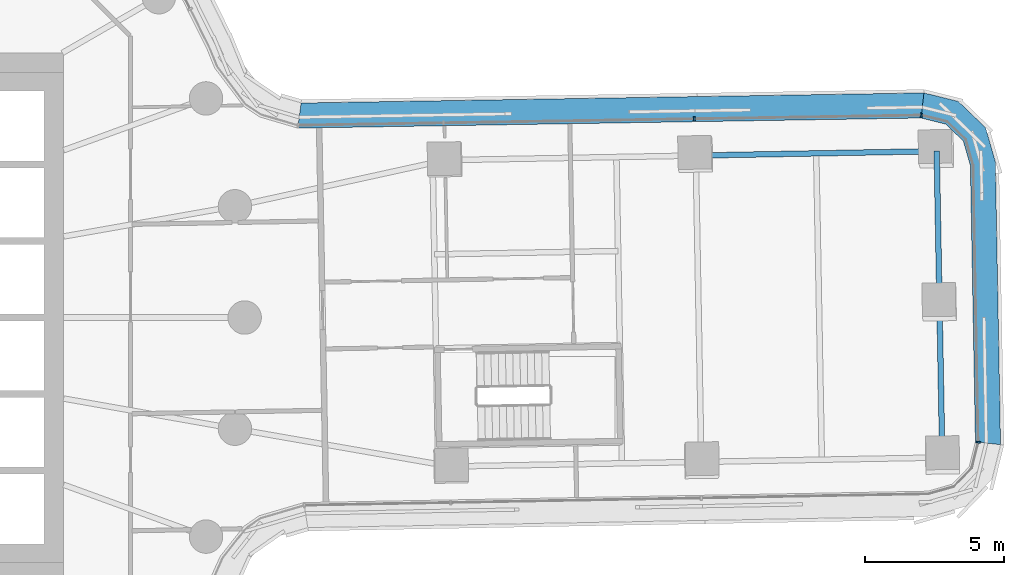
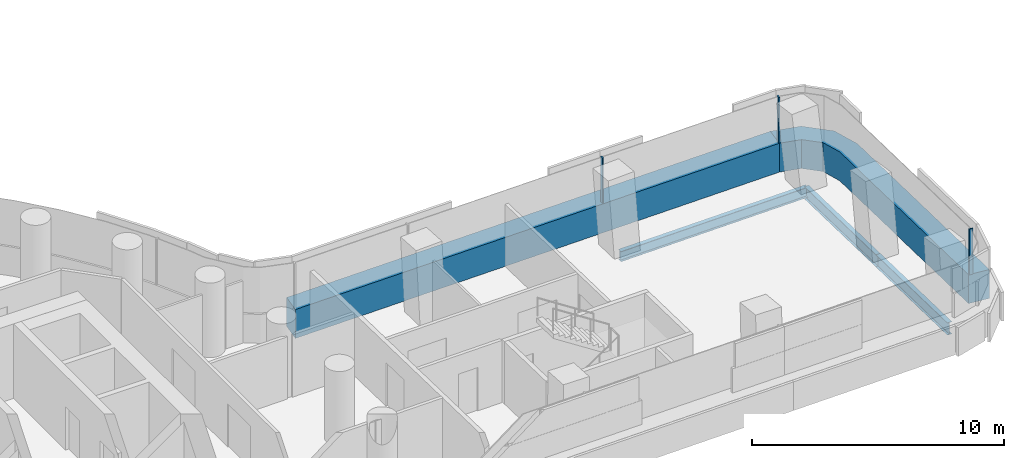
# One storey, part 12 of 31: 5 members, 3 beams, 2 elements without a shape of their own.
"""IFC4 building model written with IfcOpenShell, lengths in metres."""

from ifc_helpers import new_model, si_unit, direction, frame, origin, origin_2d, place, context, subcontext, project, spatial, polyline, rectangle, i_section, outline, extrude, material, layer, layer_set, material_profile, profile_set, type_object, element, aggregate, save


model = new_model("IFC4")

# Units and contexts
model_context = context("Model", 3, precision=1e-05, world=origin(), true_north=direction((0.0, 1.0)))
body_context = subcontext(model_context, "Body", "Model", "MODEL_VIEW")
ifc_project = project(units=[si_unit("LENGTHUNIT", "METRE"), si_unit("AREAUNIT", "SQUARE_METRE"), si_unit("VOLUMEUNIT", "CUBIC_METRE"), si_unit("PLANEANGLEUNIT", "RADIAN"), si_unit("MASSUNIT", "GRAM", prefix="KILO")], contexts=[model_context])

# Site, building, storey
site_placement = place(None, origin())
site = spatial("IfcSite", under=ifc_project, at=site_placement, CompositionType="ELEMENT")
building_placement = place(site_placement, origin())
building = spatial("IfcBuilding", under=site, at=building_placement, Name="Tamarind Cross Interchange Tower", CompositionType="ELEMENT")
storey_placement = place(building_placement, frame((0.0, 0.0, 37.75)))
storey = spatial("IfcBuildingStorey", under=building, at=storey_placement, Name="L07", CompositionType="ELEMENT", Elevation=37.75)

# Beams
ifc_material_1 = material(Name="Steel Q355B", Category="steel")
ifc_material_profile_1 = material_profile(ifc_material_1, i_section(OverallWidth=0.198974609375, OverallDepth=0.49609375, WebThickness=0.009033203125, FlangeThickness=0.013916015625, FilletRadius=0.012939453125, at=origin_2d()), Name="HN 496x199x9x14")
ifc_profile_set_1 = profile_set([ifc_material_profile_1], Name="Steel Q355B")
beam_type_1 = type_object("IfcBeamType", Name="Composite beam HN 496x199x9x14 Q355B", PredefinedType="BEAM", material=ifc_profile_set_1)
beam_1_placement = place(storey_placement, frame((47.84814453125, 5.972412109375, -0.387939453125), z_axis=(-0.99983335948, -0.01825522586, 0.0), x_axis=(0.01825522586, -0.99983335948, 0.0)))
element("IfcBeam", 1, at=beam_1_placement, inside=storey, type_object=beam_type_1, Name="Beam E-edgeep2", PredefinedType="BEAM", context=body_context, shape_type="SweptSolid", body=[
    extrude(i_section(OverallWidth=0.198974609375, OverallDepth=0.49609375, WebThickness=0.009033203125, FlangeThickness=0.013916015625, FilletRadius=0.012939453125, at=origin_2d()), origin(), (0.0, 0.0, 1.0), 8.65283203125),
])
ifc_material_profile_2 = material_profile(ifc_material_1, i_section(OverallWidth=0.199951171875, OverallDepth=0.60009765625, WebThickness=0.010986328125, FlangeThickness=0.01708984375, FilletRadius=0.012939453125, at=origin_2d()), Name="HN 600x200x11x17")
ifc_profile_set_2 = profile_set([ifc_material_profile_2], Name="Steel Q355B")
beam_type_2 = type_object("IfcBeamType", Name="Composite beam HN 600x200x11x17 Q355B", PredefinedType="BEAM", material=ifc_profile_set_2)
beam_2_placement = place(storey_placement, frame((48.048828125, -5.02587890625, -0.43994140625), z_axis=(-0.018244165944, 0.999833561354, 0.0), x_axis=(-0.999833561354, -0.018244165944, 0.0)))
element("IfcBeam", 2, at=beam_2_placement, inside=storey, type_object=beam_type_2, Name="Beam E-tip0", PredefinedType="BEAM", context=body_context, shape_type="SweptSolid", body=[
    extrude(i_section(OverallWidth=0.199951171875, OverallDepth=0.60009765625, WebThickness=0.010986328125, FlangeThickness=0.01708984375, FilletRadius=0.012939453125, at=origin_2d()), origin(), (0.0, 0.0, 1.0), 5.5),
])
beam_3_placement = place(storey_placement, frame((47.948486328125, 0.47314453125, -0.43994140625), z_axis=(-0.018243356261, 0.999833576128, 0.0), x_axis=(-0.999833576128, -0.018243356261, 0.0)))
element("IfcBeam", 3, at=beam_3_placement, inside=storey, type_object=beam_type_2, Name="Beam E-tip1", PredefinedType="BEAM", context=body_context, shape_type="SweptSolid", body=[
    extrude(i_section(OverallWidth=0.199951171875, OverallDepth=0.60009765625, WebThickness=0.010986328125, FlangeThickness=0.01708984375, FilletRadius=0.012939453125, at=origin_2d()), origin(), (0.0, 0.0, 1.0), 5.500244140625),
])

# Curtain wall, member
ifc_material_2 = material(Name="Aluminium 6063-T6", Category="aluminium")
ifc_layer = layer(ifc_material_2, 0.159912109375)
ifc_layer_set = layer_set([ifc_layer], Name="Aluminium 6063-T6")
curtain_wall_type = type_object("IfcCurtainWallType", Name="Office curtain wall, 9.0 m bays", PredefinedType="NOTDEFINED", material=ifc_layer_set)
curtain_wall_1_placement = place(storey_placement, origin())
curtain_wall_1 = element("IfcCurtainWall", 4, at=curtain_wall_1_placement, inside=storey, type_object=curtain_wall_type, Name="CWS-L07-12", PredefinedType="NOTDEFINED")
ifc_material_3 = material(Name="Aluminium and insulated spandrel panel", Category="aluminium")
member_type_1 = type_object("IfcMemberType", Name="Floor-edge blade transom", PredefinedType="USERDEFINED", material=ifc_material_3)
member_1_placement = place(storey_placement, origin())
member_1 = element("IfcMember", 5, at=member_1_placement, type_object=member_type_1, Name="CWT-L07-12", ObjectType="TRANSOM", PredefinedType="USERDEFINED", context=body_context, shape_type="SweptSolid", body=[
    extrude(outline(polyline([(49.23876953125, -4.464599609375), (49.057861328125, 5.454833984375), (48.804931640625, 6.33447265625), (48.17529296875, 6.94140625), (47.28662109375, 7.162353515625), (47.3896484375, 8.064208984375), (48.62646484375, 7.7568359375), (49.603271484375, 6.81494140625), (49.95556640625, 5.589599609375), (50.140869140625, -4.566650390625), (49.23876953125, -4.464599609375)])), origin(), (0.0, 0.0, 1.0), 1.39990234375),
])

curtain_wall_2_placement = place(storey_placement, origin())
curtain_wall_2 = element("IfcCurtainWall", 6, at=curtain_wall_2_placement, inside=storey, type_object=curtain_wall_type, Name="CWS-L07-13", PredefinedType="NOTDEFINED")
member_2_placement = place(storey_placement, origin())
member_2 = element("IfcMember", 7, at=member_2_placement, type_object=member_type_1, Name="CWT-L07-13", ObjectType="TRANSOM", PredefinedType="USERDEFINED", context=body_context, shape_type="SweptSolid", body=[
    extrude(outline(polyline([(47.28662109375, 7.162353515625), (24.904052734375, 6.7998046875), (25.026611328125, 7.701904296875), (47.3896484375, 8.064208984375), (47.28662109375, 7.162353515625)])), origin(), (0.0, 0.0, 1.0), 1.39990234375),
])

# Member
ifc_material_profile_3 = material_profile(ifc_material_2, rectangle(XDim=0.06005859375, YDim=0.159912109375, at=origin_2d()), Name="Mullion CW1")
ifc_profile_set_3 = profile_set([ifc_material_profile_3], Name="Aluminium 6063-T6")
member_type_2 = type_object("IfcMemberType", Name="Mullion CW1", PredefinedType="MULLION", material=ifc_profile_set_3)
member_3_placement = place(storey_placement, frame((49.339111328125, -4.475830078125, 1.39990234375), z_axis=(0.0, 0.0, 1.0), x_axis=(0.112426297951, 0.993660066385, 0.0)))
member_3 = element("IfcMember", 8, at=member_3_placement, type_object=member_type_2, Name="CWM-L07-12-00", PredefinedType="MULLION", context=body_context, shape_type="SweptSolid", body=[
    extrude(rectangle(XDim=0.06005859375, YDim=0.159912109375, at=origin_2d()), origin(), (0.0, 0.0, 1.0), 2.210205078125),
])

aggregate(curtain_wall_1, [member_3, member_1])

member_4_placement = place(storey_placement, frame((47.298095703125, 7.262451171875, 1.39990234375), z_axis=(0.0, 0.0, 1.0), x_axis=(-0.993544853916, 0.113439954409, 0.0)))
member_4 = element("IfcMember", 9, at=member_4_placement, type_object=member_type_2, Name="CWM-L07-13-00", PredefinedType="MULLION", context=body_context, shape_type="SweptSolid", body=[
    extrude(rectangle(XDim=0.06005859375, YDim=0.159912109375, at=origin_2d()), origin(), (0.0, 0.0, 1.0), 2.210205078125),
])

member_5_placement = place(storey_placement, frame((39.144775390625, 7.130615234375, 1.39990234375), z_axis=(0.0, 0.0, 1.0), x_axis=(-0.999868866543, -0.016194126045, 0.0)))
member_5 = element("IfcMember", 10, at=member_5_placement, type_object=member_type_2, Name="CWM-L07-13-01", PredefinedType="MULLION", context=body_context, shape_type="SweptSolid", body=[
    extrude(rectangle(XDim=0.06005859375, YDim=0.159912109375, at=origin_2d()), origin(), (0.0, 0.0, 1.0), 2.210205078125),
])

aggregate(curtain_wall_2, [member_4, member_5, member_2])

save(model, "model.ifc")
